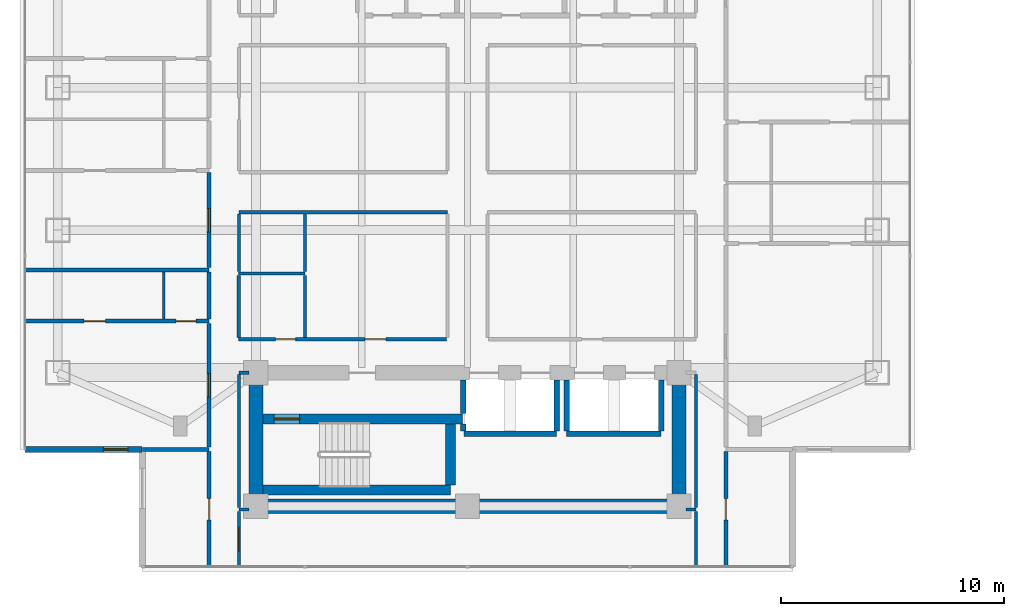
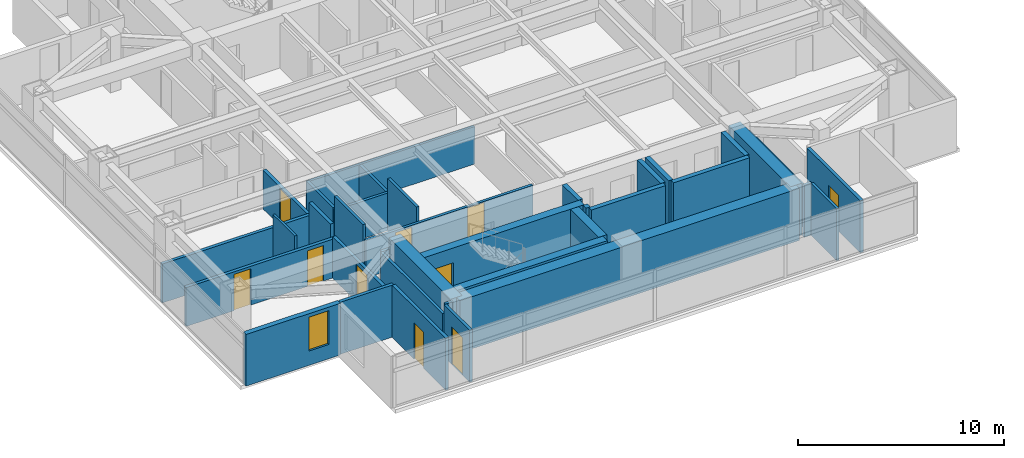
# One storey, part 13 of 24: 37 walls, 10 doors, 1 window, 11 openings.
"""IFC4 building model written with IfcOpenShell, lengths in metres."""

from ifc_helpers import new_model, si_unit, direction, frame, frame_2d, origin, place, context, subcontext, project, spatial, rectangle, extrude, material, layer, layer_set, type_object, element, fill, save


model = new_model("IFC4")

# Units and contexts
model_context = context("Model", 3, precision=1e-05, world=origin(), true_north=direction((0.0, 1.0)))
body_context = subcontext(model_context, "Body", "Model", "MODEL_VIEW")
ifc_project = project(units=[si_unit("LENGTHUNIT", "METRE"), si_unit("AREAUNIT", "SQUARE_METRE"), si_unit("VOLUMEUNIT", "CUBIC_METRE"), si_unit("PLANEANGLEUNIT", "RADIAN"), si_unit("MASSUNIT", "GRAM", prefix="KILO")], contexts=[model_context])

# Site, building, storey
site_placement = place(None, origin())
site = spatial("IfcSite", under=ifc_project, at=site_placement, CompositionType="ELEMENT")
building_placement = place(site_placement, origin())
building = spatial("IfcBuilding", under=site, at=building_placement, Name="Mirazonda Arch Towers", CompositionType="ELEMENT")
storey_placement = place(building_placement, frame((0.0, 0.0, 118.10009765625)))
storey = spatial("IfcBuildingStorey", under=building, at=storey_placement, Name="L33", CompositionType="ELEMENT", Elevation=118.10009765625)

# Wall
ifc_material_1 = material(Name="Concrete C50/60", Category="concrete")
ifc_layer_1 = layer(ifc_material_1, 0.449951171875, Name="WALL-CORE-450")
ifc_layer_set_1 = layer_set([ifc_layer_1], Name="Concrete C50/60")
wall_type_1 = type_object("IfcWallType", Name="WALL-CORE-450", PredefinedType="SHEAR", material=ifc_layer_set_1)
wall_1_placement = place(storey_placement, frame((11.320068359375, 13.1201171875, 0.0), z_axis=(0.0, 0.0, 1.0), x_axis=(1.0, 0.0, 0.0)))
element("IfcWall", 1, at=wall_1_placement, inside=storey, type_object=wall_type_1, Name="L33 Stair Core Shear Wall 003", PredefinedType="SHEAR", context=body_context, shape_type="SweptSolid", body=[
    extrude(rectangle(XDim=8.409912109375, YDim=0.449951171875, at=frame_2d((4.205078125, 0.0))), origin(), (0.0, 0.0, 1.0), 3.079833984375),
])

# Wall, opening, door
wall_2_placement = place(storey_placement, frame((11.320068359375, 16.320068359375, 0.0), z_axis=(0.0, 0.0, 1.0), x_axis=(1.0, 0.0, 0.0)))
wall_2 = element("IfcWall", 2, at=wall_2_placement, inside=storey, type_object=wall_type_1, Name="L33 Stair Core Shear Wall 008", PredefinedType="SHEAR", context=body_context, shape_type="SweptSolid", body=[
    extrude(rectangle(XDim=8.9599609375, YDim=0.449951171875, at=frame_2d((4.47998046875, 0.0))), origin(), (0.0, 0.0, 1.0), 3.079833984375),
])
opening_1_placement = place(wall_2_placement, frame((0.4951171875, 0.0, 0.0)))
opening_1 = element("IfcOpeningElement", 3, at=opening_1_placement, cuts=wall_2, Name="Opening DR-135", PredefinedType="OPENING", context=body_context, shape_type="SweptSolid", body=[
    extrude(rectangle(XDim=1.14990234375, YDim=2.199951171875, at=frame_2d((0.574951171875, 1.10009765625))), frame((0.0, 0.23486328125, 0.0), z_axis=(0.0, -1.0, 0.0), x_axis=(1.0, 0.0, 0.0)), (0.0, 0.0, 1.0), 0.469970703125),
])
ifc_material_2 = material(Name="Architectural Brushed Steel S355", Category="steel")
door_type_1 = type_object("IfcDoorType", Name="DOOR-STAIR-FD90-1150", OperationType="NOTDEFINED", PredefinedType="DOOR", material=ifc_material_2)
door_1_placement = place(opening_1_placement, origin())
door_1 = element("IfcDoor", 4, at=door_1_placement, inside=storey, type_object=door_type_1, Name="L33 Protected Exit Stair South Door", OperationType="SINGLE_SWING_RIGHT", OverallHeight=2.199951171875, OverallWidth=1.14990234375, PredefinedType="DOOR", context=body_context, shape_type="SweptSolid", body=[
    extrude(rectangle(XDim=1.14990234375, YDim=2.199951171875, at=frame_2d((0.574951171875, 1.10009765625))), frame((0.0, 0.02490234375, 0.0), z_axis=(0.0, -1.0, 0.0), x_axis=(1.0, 0.0, 0.0)), (0.0, 0.0, 1.0), 0.050048828125),
])
fill(opening_1, door_1)

# Walls
wall_3_placement = place(storey_placement, frame((19.72998046875, 13.35498046875, 0.0), z_axis=(0.0, 0.0, 1.0), x_axis=(0.0, 1.0, 0.0)))
element("IfcWall", 5, at=wall_3_placement, inside=storey, type_object=wall_type_1, Name="L33 Stair Core Shear Wall 089", PredefinedType="SHEAR", context=body_context, shape_type="SweptSolid", body=[
    extrude(rectangle(XDim=2.72998046875, YDim=0.449951171875, at=frame_2d((1.364990234375, 0.0))), origin(), (0.0, 0.0, 1.0), 3.079833984375),
])
ifc_material_3 = material(Name="Concrete C60/75", Category="concrete")
ifc_layer_2 = layer(ifc_material_3, 0.64990234375, Name="WALL-CORE-650")
ifc_layer_set_2 = layer_set([ifc_layer_2], Name="Concrete C60/75")
wall_type_2 = type_object("IfcWallType", Name="WALL-CORE-650", PredefinedType="SHEAR", material=ifc_layer_set_2)
wall_4_placement = place(storey_placement, frame((11.0, 12.39990234375, 0.0), z_axis=(0.0, 0.0, 1.0), x_axis=(1.0, 0.0, 0.0)))
element("IfcWall", 6, at=wall_4_placement, inside=storey, type_object=wall_type_2, Name="L33 T1S-S Core Shear Wall", PredefinedType="SHEAR", context=body_context, shape_type="SweptSolid", body=[
    extrude(rectangle(XDim=19.0, YDim=0.64990234375, at=frame_2d((9.5, 0.0))), origin(), (0.0, 0.0, 1.0), 3.079833984375),
])
for number, where, z_axis, x_axis, name in (
    (7, (11.0, 12.39990234375, 0.0), (0.0, 0.0, 1.0), (0.0, 1.0, 0.0), "L33 T1S-W Core Shear Wall"),
    (8, (30.0, 12.39990234375, 0.0), (0.0, 0.0, 1.0), (0.0, 1.0, 0.0), "L33 T1S-E Core Shear Wall"),
):
    element("IfcWall", number, at=place(storey_placement, frame(where, z_axis=z_axis, x_axis=x_axis)), inside=storey, type_object=wall_type_2, Name=name, PredefinedType="SHEAR", context=body_context, shape_type="SweptSolid", body=[
        extrude(rectangle(XDim=6.0, YDim=0.64990234375, at=frame_2d((3.0, 0.0))), origin(), (0.0, 0.0, 1.0), 3.079833984375),
    ])

# Wall, opening, window
ifc_material_4 = material(Name="Precast Concrete C40/50", Category="concrete")
ifc_layer_3 = layer(ifc_material_4, 0.280029296875, Name="WALL-EXT-WALL-280")
ifc_layer_set_3 = layer_set([ifc_layer_3], Name="Precast Concrete C40/50")
wall_type_3 = type_object("IfcWallType", Name="WALL-EXT-WALL-280", PredefinedType="SOLIDWALL", material=ifc_layer_set_3)
wall_5_placement = place(storey_placement, frame((0.6201171875, 14.949951171875, 0.0), z_axis=(0.0, 0.0, 1.0), x_axis=(1.0, 0.0, 0.0)))
wall_5 = element("IfcWall", 9, at=wall_5_placement, inside=storey, type_object=wall_type_3, Name="L33 T1 Corner Notch Return Wall WL-L33-T1-CSW2", PredefinedType="SOLIDWALL", context=body_context, shape_type="SweptSolid", body=[
    extrude(rectangle(XDim=5.269775390625, YDim=0.280029296875, at=frame_2d((2.634765625, 0.0))), origin(), (0.0, 0.0, 1.0), 3.059814453125),
])
opening_2_placement = place(wall_5_placement, frame((3.52001953125, 0.0, 0.85009765625)))
opening_2 = element("IfcOpeningElement", 10, at=opening_2_placement, cuts=wall_5, Name="Opening WN-108", PredefinedType="OPENING", context=body_context, shape_type="SweptSolid", body=[
    extrude(rectangle(XDim=1.10009765625, YDim=2.0, at=frame_2d((0.550048828125, 1.0))), frame((0.0, 0.14990234375, 0.0), z_axis=(0.0, -1.0, 0.0), x_axis=(1.0, 0.0, 0.0)), (0.0, 0.0, 1.0), 0.300048828125),
])
ifc_material_5 = material(Name="Insulated Low-E Solar Glass", Category="glass")
window_type = type_object("IfcWindowType", Name="WIN-NOTCH-1100x2000", PartitioningType="SINGLE_PANEL", PredefinedType="WINDOW", material=ifc_material_5)
window_placement = place(opening_2_placement, origin())
window = element("IfcWindow", 11, at=window_placement, inside=storey, type_object=window_type, Name="L33 Punched Facade Window WN-L33-T1-CSW2", OverallHeight=2.0, OverallWidth=1.10009765625, PartitioningType="SINGLE_PANEL", PredefinedType="WINDOW", context=body_context, shape_type="SweptSolid", body=[
    extrude(rectangle(XDim=1.10009765625, YDim=2.0, at=frame_2d((0.550048828125, 1.0))), frame((0.0, 0.030029296875, 0.0), z_axis=(0.0, -1.0, 0.0), x_axis=(1.0, 0.0, 0.0)), (0.0, 0.0, 1.0), 0.06005859375),
])
fill(opening_2, window)

# Walls
ifc_material_6 = material(Name="Fire-Rated Gypsum Stud Partition")
ifc_layer_4 = layer(ifc_material_6, 0.14990234375, Name="WALL-PART-CORR-150")
ifc_layer_set_4 = layer_set([ifc_layer_4], Name="Fire-Rated Gypsum Stud Partition")
wall_type_4 = type_object("IfcWallType", Name="WALL-PART-CORR-150", PredefinedType="PARTITIONING", material=ifc_layer_set_4)
for number, where, z_axis, x_axis, name in (
    (12, (10.239990234375, 12.25, 0.0), (0.0, 0.0, 1.0), (1.0, 0.0, 0.0), "L33 Interior Partition 001"),
    (13, (30.320068359375, 12.25, 0.0), (0.0, 0.0, 1.0), (1.0, 0.0, 0.0), "L33 Interior Partition 002"),
):
    element("IfcWall", number, at=place(storey_placement, frame(where, z_axis=z_axis, x_axis=x_axis)), inside=storey, type_object=wall_type_4, Name=name, PredefinedType="PARTITIONING", context=body_context, shape_type="SweptSolid", body=[
        extrude(rectangle(XDim=0.43994140625, YDim=0.14990234375, at=frame_2d((0.219970703125, 0.0))), origin(), (0.0, 0.0, 1.0), 3.079833984375),
    ])
wall_6_placement = place(storey_placement, frame((10.239990234375, 18.39990234375, 0.0), z_axis=(0.0, 0.0, 1.0), x_axis=(1.0, 0.0, 0.0)))
element("IfcWall", 14, at=wall_6_placement, inside=storey, type_object=wall_type_4, Name="L33 Interior Partition 012", PredefinedType="PARTITIONING", context=body_context, shape_type="SweptSolid", body=[
    extrude(rectangle(XDim=0.43994140625, YDim=0.14990234375, at=frame_2d((0.219970703125, 0.0))), origin(), (0.0, 0.0, 1.0), 2.455810546875),
])

# Wall, openings, doors
wall_7_placement = place(storey_placement, frame((10.219970703125, 19.89990234375, 0.0), z_axis=(0.0, 0.0, 1.0), x_axis=(1.0, 0.0, 0.0)))
wall_7 = element("IfcWall", 15, at=wall_7_placement, inside=storey, type_object=wall_type_4, Name="L33 Interior Partition 015", PredefinedType="PARTITIONING", context=body_context, shape_type="SweptSolid", body=[
    extrude(rectangle(XDim=9.340087890625, YDim=0.14990234375, at=frame_2d((4.669921875, 0.0))), origin(), (0.0, 0.0, 1.0), 2.2158203125),
])
opening_3_placement = place(wall_7_placement, frame((1.659912109375, 0.0, 0.0)))
opening_3 = element("IfcOpeningElement", 16, at=opening_3_placement, cuts=wall_7, Name="Opening DR-120", PredefinedType="OPENING", context=body_context, shape_type="SweptSolid", body=[
    extrude(rectangle(XDim=0.89990234375, YDim=2.10009765625, at=frame_2d((0.449951171875, 1.050048828125))), frame((0.0, 0.0849609375, 0.0), z_axis=(0.0, -1.0, 0.0), x_axis=(1.0, 0.0, 0.0)), (0.0, 0.0, 1.0), 0.169921875),
])
opening_4_placement = place(wall_7_placement, frame((5.6650390625, 0.0, 0.0)))
opening_4 = element("IfcOpeningElement", 17, at=opening_4_placement, cuts=wall_7, Name="Opening DR-104", PredefinedType="OPENING", context=body_context, shape_type="SweptSolid", body=[
    extrude(rectangle(XDim=0.949951171875, YDim=2.14990234375, at=frame_2d((0.47509765625, 1.074951171875))), frame((0.0, 0.0849609375, 0.0), z_axis=(0.0, -1.0, 0.0), x_axis=(1.0, 0.0, 0.0)), (0.0, 0.0, 1.0), 0.169921875),
])
door_type_2 = type_object("IfcDoorType", Name="DOOR-ROOM-950", OperationType="NOTDEFINED", PredefinedType="DOOR", material=ifc_material_2)
door_2_placement = place(opening_4_placement, origin())
door_2 = element("IfcDoor", 18, at=door_2_placement, inside=storey, type_object=door_type_2, Name="L33 L33 West Courtyard Study Door", OperationType="SINGLE_SWING_LEFT", OverallHeight=2.14990234375, OverallWidth=0.949951171875, PredefinedType="DOOR", context=body_context, shape_type="SweptSolid", body=[
    extrude(rectangle(XDim=0.949951171875, YDim=2.14990234375, at=frame_2d((0.47509765625, 1.074951171875))), frame((0.0, 0.02490234375, 0.0), z_axis=(0.0, -1.0, 0.0), x_axis=(1.0, 0.0, 0.0)), (0.0, 0.0, 1.0), 0.050048828125),
])
fill(opening_4, door_2)
door_type_3 = type_object("IfcDoorType", Name="DOOR-WC-900", OperationType="NOTDEFINED", PredefinedType="DOOR", material=ifc_material_2)
door_3_placement = place(opening_3_placement, origin())
door_3 = element("IfcDoor", 19, at=door_3_placement, inside=storey, type_object=door_type_3, Name="L33 Common Accessible WC Door", OperationType="SINGLE_SWING_LEFT", OverallHeight=2.10009765625, OverallWidth=0.89990234375, PredefinedType="DOOR", context=body_context, shape_type="SweptSolid", body=[
    extrude(rectangle(XDim=0.89990234375, YDim=2.10009765625, at=frame_2d((0.449951171875, 1.050048828125))), frame((0.0, 0.02490234375, 0.0), z_axis=(0.0, -1.0, 0.0), x_axis=(1.0, 0.0, 0.0)), (0.0, 0.0, 1.0), 0.050048828125),
])
fill(opening_3, door_3)

# Walls
wall_8_placement = place(storey_placement, frame((10.219970703125, 22.85009765625, 0.0), z_axis=(0.0, 0.0, 1.0), x_axis=(1.0, 0.0, 0.0)))
element("IfcWall", 20, at=wall_8_placement, inside=storey, type_object=wall_type_4, Name="L33 Interior Partition 023", PredefinedType="PARTITIONING", context=body_context, shape_type="SweptSolid", body=[
    extrude(rectangle(XDim=2.97998046875, YDim=0.14990234375, at=frame_2d((1.489990234375, 0.0))), origin(), (0.0, 0.0, 1.0), 2.2158203125),
])
wall_9_placement = place(storey_placement, frame((10.239990234375, 25.60009765625, 0.0), z_axis=(0.0, 0.0, 1.0), x_axis=(1.0, 0.0, 0.0)))
element("IfcWall", 21, at=wall_9_placement, inside=storey, type_object=wall_type_4, Name="L33 Interior Partition 029", PredefinedType="PARTITIONING", context=body_context, shape_type="SweptSolid", body=[
    extrude(rectangle(XDim=9.360107421875, YDim=0.14990234375, at=frame_2d((4.68017578125, 0.0))), origin(), (0.0, 0.0, 1.0), 2.2158203125),
])
wall_10_placement = place(storey_placement, frame((10.219970703125, 19.985107421875, 0.0), z_axis=(0.0, 0.0, 1.0), x_axis=(0.0, 1.0, 0.0)))
element("IfcWall", 22, at=wall_10_placement, inside=storey, type_object=wall_type_4, Name="L33 Interior Partition 074", PredefinedType="PARTITIONING", context=body_context, shape_type="SweptSolid", body=[
    extrude(rectangle(XDim=2.77978515625, YDim=0.14990234375, at=frame_2d((1.389892578125, 0.0))), origin(), (0.0, 0.0, 1.0), 3.079833984375),
])

# Wall, opening, door
wall_11_placement = place(storey_placement, frame((10.239990234375, 9.679931640625, 0.0), z_axis=(0.0, 0.0, 1.0), x_axis=(0.0, 1.0, 0.0)))
wall_11 = element("IfcWall", 23, at=wall_11_placement, inside=storey, type_object=wall_type_4, Name="L33 Interior Partition 075", PredefinedType="PARTITIONING", context=body_context, shape_type="SweptSolid", body=[
    extrude(rectangle(XDim=2.485107421875, YDim=0.14990234375, at=frame_2d((1.24267578125, 0.0))), origin(), (0.0, 0.0, 1.0), 3.079833984375),
])
opening_5_placement = place(wall_11_placement, frame((0.717529296875, 0.0, 0.0)))
opening_5 = element("IfcOpeningElement", 24, at=opening_5_placement, cuts=wall_11, Name="Opening DR-121", PredefinedType="OPENING", context=body_context, shape_type="SweptSolid", body=[
    extrude(rectangle(XDim=1.050048828125, YDim=2.199951171875, at=frame_2d((0.52490234375, 1.10009765625))), frame((0.0, 0.0849609375, 0.0), z_axis=(0.0, -1.0, 0.0), x_axis=(1.0, 0.0, 0.0)), (0.0, 0.0, 1.0), 0.169921875),
])
door_type_4 = type_object("IfcDoorType", Name="DOOR-SUITE-FD60-1050", OperationType="NOTDEFINED", PredefinedType="DOOR", material=ifc_material_2)
door_4_placement = place(opening_5_placement, origin())
door_4 = element("IfcDoor", 25, at=door_4_placement, inside=storey, type_object=door_type_4, Name="L33 South Horizon Lounge Gallery Door", OperationType="SINGLE_SWING_LEFT", OverallHeight=2.199951171875, OverallWidth=1.050048828125, PredefinedType="DOOR", context=body_context, shape_type="SweptSolid", body=[
    extrude(rectangle(XDim=1.050048828125, YDim=2.199951171875, at=frame_2d((0.52490234375, 1.10009765625))), frame((0.0, 0.02490234375, 0.0), z_axis=(0.0, -1.0, 0.0), x_axis=(1.0, 0.0, 0.0)), (0.0, 0.0, 1.0), 0.050048828125),
])
fill(opening_5, door_4)

# Walls
wall_12_placement = place(storey_placement, frame((10.239990234375, 12.3349609375, 0.0), z_axis=(0.0, 0.0, 1.0), x_axis=(0.0, 1.0, 0.0)))
element("IfcWall", 26, at=wall_12_placement, inside=storey, type_object=wall_type_4, Name="L33 Interior Partition 076", PredefinedType="PARTITIONING", context=body_context, shape_type="SweptSolid", body=[
    extrude(rectangle(XDim=5.97998046875, YDim=0.14990234375, at=frame_2d((2.989990234375, 0.0))), origin(), (0.0, 0.0, 1.0), 2.455810546875),
])
wall_13_placement = place(storey_placement, frame((10.239990234375, 22.93505859375, 0.0), z_axis=(0.0, 0.0, 1.0), x_axis=(0.0, 1.0, 0.0)))
element("IfcWall", 27, at=wall_13_placement, inside=storey, type_object=wall_type_4, Name="L33 Interior Partition 077", PredefinedType="PARTITIONING", context=body_context, shape_type="SweptSolid", body=[
    extrude(rectangle(XDim=2.579833984375, YDim=0.14990234375, at=frame_2d((1.2900390625, 0.0))), origin(), (0.0, 0.0, 1.0), 2.298828125),
])
wall_14_placement = place(storey_placement, frame((13.199951171875, 19.985107421875, 0.0), z_axis=(0.0, 0.0, 1.0), x_axis=(0.0, 1.0, 0.0)))
element("IfcWall", 28, at=wall_14_placement, inside=storey, type_object=wall_type_4, Name="L33 Interior Partition 082", PredefinedType="PARTITIONING", context=body_context, shape_type="SweptSolid", body=[
    extrude(rectangle(XDim=2.77978515625, YDim=0.14990234375, at=frame_2d((1.389892578125, 0.0))), origin(), (0.0, 0.0, 1.0), 3.079833984375),
])
wall_15_placement = place(storey_placement, frame((13.199951171875, 22.93505859375, 0.0), z_axis=(0.0, 0.0, 1.0), x_axis=(0.0, 1.0, 0.0)))
element("IfcWall", 29, at=wall_15_placement, inside=storey, type_object=wall_type_4, Name="L33 Interior Partition 083", PredefinedType="PARTITIONING", context=body_context, shape_type="SweptSolid", body=[
    extrude(rectangle(XDim=2.579833984375, YDim=0.14990234375, at=frame_2d((1.2900390625, 0.0))), origin(), (0.0, 0.0, 1.0), 2.2158203125),
])
wall_16_placement = place(storey_placement, frame((30.760009765625, 9.679931640625, 0.0), z_axis=(0.0, 0.0, 1.0), x_axis=(0.0, 1.0, 0.0)))
element("IfcWall", 30, at=wall_16_placement, inside=storey, type_object=wall_type_4, Name="L33 Interior Partition 106", PredefinedType="PARTITIONING", context=body_context, shape_type="SweptSolid", body=[
    extrude(rectangle(XDim=2.485107421875, YDim=0.14990234375, at=frame_2d((1.24267578125, 0.0))), origin(), (0.0, 0.0, 1.0), 3.079833984375),
])
wall_17_placement = place(storey_placement, frame((30.760009765625, 12.3349609375, 0.0), z_axis=(0.0, 0.0, 1.0), x_axis=(0.0, 1.0, 0.0)))
element("IfcWall", 31, at=wall_17_placement, inside=storey, type_object=wall_type_4, Name="L33 Interior Partition 107", PredefinedType="PARTITIONING", context=body_context, shape_type="SweptSolid", body=[
    extrude(rectangle(XDim=5.97998046875, YDim=0.14990234375, at=frame_2d((2.989990234375, 0.0))), origin(), (0.0, 0.0, 1.0), 2.455810546875),
])
ifc_material_7 = material(Name="Fire-Rated Gypsum Twin-Stud Assembly")
ifc_layer_5 = layer(ifc_material_7, 0.179931640625, Name="WALL-PART-DEMISE-180")
ifc_layer_set_5 = layer_set([ifc_layer_5], Name="Fire-Rated Gypsum Twin-Stud Assembly")
wall_type_5 = type_object("IfcWallType", Name="WALL-PART-DEMISE-180", PredefinedType="PARTITIONING", material=ifc_layer_set_5)
wall_18_placement = place(storey_placement, frame((5.909912109375, 14.949951171875, 0.0), z_axis=(0.0, 0.0, 1.0), x_axis=(1.0, 0.0, 0.0)))
element("IfcWall", 32, at=wall_18_placement, inside=storey, type_object=wall_type_5, Name="L33 Interior Partition 004", PredefinedType="PARTITIONING", context=body_context, shape_type="SweptSolid", body=[
    extrude(rectangle(XDim=2.989990234375, YDim=0.179931640625, at=frame_2d((1.4951171875, 0.0))), origin(), (0.0, 0.0, 1.0), 3.079833984375),
])

# Wall, openings, doors
wall_19_placement = place(storey_placement, frame((0.6201171875, 20.716064453125, 0.0), z_axis=(0.0, 0.0, 1.0), x_axis=(1.0, 0.0, 0.0)))
wall_19 = element("IfcWall", 33, at=wall_19_placement, inside=storey, type_object=wall_type_5, Name="L33 Interior Partition 019", PredefinedType="PARTITIONING", context=body_context, shape_type="SweptSolid", body=[
    extrude(rectangle(XDim=8.27978515625, YDim=0.179931640625, at=frame_2d((4.139892578125, 0.0))), origin(), (0.0, 0.0, 1.0), 2.298828125),
])
opening_6_placement = place(wall_19_placement, frame((2.6650390625, 0.0, 0.0)))
opening_6 = element("IfcOpeningElement", 34, at=opening_6_placement, cuts=wall_19, Name="Opening DR-104", PredefinedType="OPENING", context=body_context, shape_type="SweptSolid", body=[
    extrude(rectangle(XDim=0.949951171875, YDim=2.14990234375, at=frame_2d((0.47509765625, 1.074951171875))), frame((0.0, 0.099853515625, 0.0), z_axis=(0.0, -1.0, 0.0), x_axis=(1.0, 0.0, 0.0)), (0.0, 0.0, 1.0), 0.199951171875),
])
opening_7_placement = place(wall_19_placement, frame((6.7900390625, 0.0, 0.0)))
opening_7 = element("IfcOpeningElement", 35, at=opening_7_placement, cuts=wall_19, Name="Opening DR-120", PredefinedType="OPENING", context=body_context, shape_type="SweptSolid", body=[
    extrude(rectangle(XDim=0.89990234375, YDim=2.10009765625, at=frame_2d((0.449951171875, 1.050048828125))), frame((0.0, 0.099853515625, 0.0), z_axis=(0.0, -1.0, 0.0), x_axis=(1.0, 0.0, 0.0)), (0.0, 0.0, 1.0), 0.199951171875),
])
door_5_placement = place(opening_6_placement, origin())
door_5 = element("IfcDoor", 36, at=door_5_placement, inside=storey, type_object=door_type_2, Name="L33 Suite Bedroom 1 Door", OperationType="SINGLE_SWING_LEFT", OverallHeight=2.14990234375, OverallWidth=0.949951171875, PredefinedType="DOOR", context=body_context, shape_type="SweptSolid", body=[
    extrude(rectangle(XDim=0.949951171875, YDim=2.14990234375, at=frame_2d((0.47509765625, 1.074951171875))), frame((0.0, 0.02490234375, 0.0), z_axis=(0.0, -1.0, 0.0), x_axis=(1.0, 0.0, 0.0)), (0.0, 0.0, 1.0), 0.050048828125),
])
fill(opening_6, door_5)
door_6_placement = place(opening_7_placement, origin())
door_6 = element("IfcDoor", 37, at=door_6_placement, inside=storey, type_object=door_type_3, Name="L33 Suite En-Suite Bathroom 1 Door", OperationType="SINGLE_SWING_RIGHT", OverallHeight=2.10009765625, OverallWidth=0.89990234375, PredefinedType="DOOR", context=body_context, shape_type="SweptSolid", body=[
    extrude(rectangle(XDim=0.89990234375, YDim=2.10009765625, at=frame_2d((0.449951171875, 1.050048828125))), frame((0.0, 0.02490234375, 0.0), z_axis=(0.0, -1.0, 0.0), x_axis=(1.0, 0.0, 0.0)), (0.0, 0.0, 1.0), 0.050048828125),
])
fill(opening_7, door_6)

# Wall
wall_20_placement = place(storey_placement, frame((0.6201171875, 23.01611328125, 0.0), z_axis=(0.0, 0.0, 1.0), x_axis=(1.0, 0.0, 0.0)))
element("IfcWall", 38, at=wall_20_placement, inside=storey, type_object=wall_type_5, Name="L33 Interior Partition 024", PredefinedType="PARTITIONING", context=body_context, shape_type="SweptSolid", body=[
    extrude(rectangle(XDim=8.27978515625, YDim=0.179931640625, at=frame_2d((4.139892578125, 0.0))), origin(), (0.0, 0.0, 1.0), 2.298828125),
])

# Wall, opening, door
wall_21_placement = place(storey_placement, frame((8.89990234375, 9.679931640625, 0.0), z_axis=(0.0, 0.0, 1.0), x_axis=(0.0, 1.0, 0.0)))
wall_21 = element("IfcWall", 39, at=wall_21_placement, inside=storey, type_object=wall_type_5, Name="L33 Interior Partition 066", PredefinedType="PARTITIONING", context=body_context, shape_type="SweptSolid", body=[
    extrude(rectangle(XDim=5.170166015625, YDim=0.179931640625, at=frame_2d((2.5849609375, 0.0))), origin(), (0.0, 0.0, 1.0), 3.079833984375),
])
opening_8_placement = place(wall_21_placement, frame((2.110107421875, 0.0, 0.0)))
opening_8 = element("IfcOpeningElement", 40, at=opening_8_placement, cuts=wall_21, Name="Opening DR-104", PredefinedType="OPENING", context=body_context, shape_type="SweptSolid", body=[
    extrude(rectangle(XDim=0.949951171875, YDim=2.14990234375, at=frame_2d((0.47509765625, 1.074951171875))), frame((0.0, 0.099853515625, 0.0), z_axis=(0.0, -1.0, 0.0), x_axis=(1.0, 0.0, 0.0)), (0.0, 0.0, 1.0), 0.199951171875),
])
door_7_placement = place(opening_8_placement, origin())
door_7 = element("IfcDoor", 41, at=door_7_placement, inside=storey, type_object=door_type_2, Name="L33 South Horizon Lounge Alcove West Door", OperationType="SINGLE_SWING_RIGHT", OverallHeight=2.14990234375, OverallWidth=0.949951171875, PredefinedType="DOOR", context=body_context, shape_type="SweptSolid", body=[
    extrude(rectangle(XDim=0.949951171875, YDim=2.14990234375, at=frame_2d((0.47509765625, 1.074951171875))), frame((0.0, 0.02490234375, 0.0), z_axis=(0.0, -1.0, 0.0), x_axis=(1.0, 0.0, 0.0)), (0.0, 0.0, 1.0), 0.050048828125),
])
fill(opening_8, door_7)

wall_22_placement = place(storey_placement, frame((8.89990234375, 15.050048828125, 0.0), z_axis=(0.0, 0.0, 1.0), x_axis=(0.0, 1.0, 0.0)))
wall_22 = element("IfcWall", 42, at=wall_22_placement, inside=storey, type_object=wall_type_5, Name="L33 Interior Partition 067", PredefinedType="PARTITIONING", context=body_context, shape_type="SweptSolid", body=[
    extrude(rectangle(XDim=5.56591796875, YDim=0.179931640625, at=frame_2d((2.782958984375, 0.0))), origin(), (0.0, 0.0, 1.0), 2.455810546875),
])
opening_9_placement = place(wall_22_placement, frame((2.258056640625, 0.0, 0.0)))
opening_9 = element("IfcOpeningElement", 43, at=opening_9_placement, cuts=wall_22, Name="Opening DR-121", PredefinedType="OPENING", context=body_context, shape_type="SweptSolid", body=[
    extrude(rectangle(XDim=1.050048828125, YDim=2.199951171875, at=frame_2d((0.52490234375, 1.10009765625))), frame((0.0, 0.099853515625, 0.0), z_axis=(0.0, -1.0, 0.0), x_axis=(1.0, 0.0, 0.0)), (0.0, 0.0, 1.0), 0.199951171875),
])
door_8_placement = place(opening_9_placement, origin())
door_8 = element("IfcDoor", 44, at=door_8_placement, inside=storey, type_object=door_type_4, Name="L33 Panoramic Suite Salon 1 Door", OperationType="SINGLE_SWING_RIGHT", OverallHeight=2.199951171875, OverallWidth=1.050048828125, PredefinedType="DOOR", context=body_context, shape_type="SweptSolid", body=[
    extrude(rectangle(XDim=1.050048828125, YDim=2.199951171875, at=frame_2d((0.52490234375, 1.10009765625))), frame((0.0, 0.02490234375, 0.0), z_axis=(0.0, -1.0, 0.0), x_axis=(1.0, 0.0, 0.0)), (0.0, 0.0, 1.0), 0.050048828125),
])
fill(opening_9, door_8)

# Wall
wall_23_placement = place(storey_placement, frame((8.89990234375, 20.81591796875, 0.0), z_axis=(0.0, 0.0, 1.0), x_axis=(0.0, 1.0, 0.0)))
element("IfcWall", 45, at=wall_23_placement, inside=storey, type_object=wall_type_5, Name="L33 Interior Partition 068", PredefinedType="PARTITIONING", context=body_context, shape_type="SweptSolid", body=[
    extrude(rectangle(XDim=2.10009765625, YDim=0.179931640625, at=frame_2d((1.050048828125, 0.0))), origin(), (0.0, 0.0, 1.0), 3.079833984375),
])

# Wall, opening, door
wall_24_placement = place(storey_placement, frame((8.89990234375, 23.115966796875, 0.0), z_axis=(0.0, 0.0, 1.0), x_axis=(0.0, 1.0, 0.0)))
wall_24 = element("IfcWall", 46, at=wall_24_placement, inside=storey, type_object=wall_type_5, Name="L33 Interior Partition 069", PredefinedType="PARTITIONING", context=body_context, shape_type="SweptSolid", body=[
    extrude(rectangle(XDim=4.263916015625, YDim=0.179931640625, at=frame_2d((2.1318359375, 0.0))), origin(), (0.0, 0.0, 1.0), 2.298828125),
])
opening_10_placement = place(wall_24_placement, frame((1.60693359375, 0.0, 0.0)))
opening_10 = element("IfcOpeningElement", 47, at=opening_10_placement, cuts=wall_24, Name="Opening DR-121", PredefinedType="OPENING", context=body_context, shape_type="SweptSolid", body=[
    extrude(rectangle(XDim=1.050048828125, YDim=2.199951171875, at=frame_2d((0.52490234375, 1.10009765625))), frame((0.0, 0.099853515625, 0.0), z_axis=(0.0, -1.0, 0.0), x_axis=(1.0, 0.0, 0.0)), (0.0, 0.0, 1.0), 0.199951171875),
])
door_9_placement = place(opening_10_placement, origin())
door_9 = element("IfcDoor", 48, at=door_9_placement, inside=storey, type_object=door_type_4, Name="L33 Deluxe Suite Living Room 2 Door", OperationType="SINGLE_SWING_LEFT", OverallHeight=2.199951171875, OverallWidth=1.050048828125, PredefinedType="DOOR", context=body_context, shape_type="SweptSolid", body=[
    extrude(rectangle(XDim=1.050048828125, YDim=2.199951171875, at=frame_2d((0.52490234375, 1.10009765625))), frame((0.0, 0.02490234375, 0.0), z_axis=(0.0, -1.0, 0.0), x_axis=(1.0, 0.0, 0.0)), (0.0, 0.0, 1.0), 0.050048828125),
])
fill(opening_10, door_9)

wall_25_placement = place(storey_placement, frame((32.10009765625, 9.679931640625, 0.0), z_axis=(0.0, 0.0, 1.0), x_axis=(0.0, 1.0, 0.0)))
wall_25 = element("IfcWall", 49, at=wall_25_placement, inside=storey, type_object=wall_type_5, Name="L33 Interior Partition 112", PredefinedType="PARTITIONING", context=body_context, shape_type="SweptSolid", body=[
    extrude(rectangle(XDim=5.170166015625, YDim=0.179931640625, at=frame_2d((2.5849609375, 0.0))), origin(), (0.0, 0.0, 1.0), 3.079833984375),
])
opening_11_placement = place(wall_25_placement, frame((2.110107421875, 0.0, 0.0)))
opening_11 = element("IfcOpeningElement", 50, at=opening_11_placement, cuts=wall_25, Name="Opening DR-104", PredefinedType="OPENING", context=body_context, shape_type="SweptSolid", body=[
    extrude(rectangle(XDim=0.949951171875, YDim=2.14990234375, at=frame_2d((0.47509765625, 1.074951171875))), frame((0.0, 0.099853515625, 0.0), z_axis=(0.0, -1.0, 0.0), x_axis=(1.0, 0.0, 0.0)), (0.0, 0.0, 1.0), 0.199951171875),
])
door_10_placement = place(opening_11_placement, origin())
door_10 = element("IfcDoor", 51, at=door_10_placement, inside=storey, type_object=door_type_2, Name="L33 South Horizon Lounge Alcove East Door", OperationType="SINGLE_SWING_LEFT", OverallHeight=2.14990234375, OverallWidth=0.949951171875, PredefinedType="DOOR", context=body_context, shape_type="SweptSolid", body=[
    extrude(rectangle(XDim=0.949951171875, YDim=2.14990234375, at=frame_2d((0.47509765625, 1.074951171875))), frame((0.0, 0.02490234375, 0.0), z_axis=(0.0, -1.0, 0.0), x_axis=(1.0, 0.0, 0.0)), (0.0, 0.0, 1.0), 0.050048828125),
])
fill(opening_11, door_10)

# Walls
ifc_material_8 = material(Name="Acoustic Fire-Rated Gypsum Partition")
ifc_layer_6 = layer(ifc_material_8, 0.125, Name="WALL-PART-UNIT-125")
ifc_layer_set_6 = layer_set([ifc_layer_6], Name="Acoustic Fire-Rated Gypsum Partition")
wall_type_6 = type_object("IfcWallType", Name="WALL-PART-UNIT-125", PredefinedType="PARTITIONING", material=ifc_layer_set_6)
wall_26_placement = place(storey_placement, frame((6.860107421875, 20.81591796875, 0.0), z_axis=(0.0, 0.0, 1.0), x_axis=(0.0, 1.0, 0.0)))
element("IfcWall", 52, at=wall_26_placement, inside=storey, type_object=wall_type_6, Name="L33 Interior Partition 063", PredefinedType="PARTITIONING", context=body_context, shape_type="SweptSolid", body=[
    extrude(rectangle(XDim=2.10009765625, YDim=0.125, at=frame_2d((1.050048828125, 0.0))), origin(), (0.0, 0.0, 1.0), 3.079833984375),
])
ifc_material_9 = material(Name="Concrete C40/50", Category="concrete")
ifc_layer_7 = layer(ifc_material_9, 0.25, Name="WALL-SHAFT-250")
ifc_layer_set_7 = layer_set([ifc_layer_7], Name="Concrete C40/50")
wall_type_7 = type_object("IfcWallType", Name="WALL-SHAFT-250", PredefinedType="SOLIDWALL", material=ifc_layer_set_7)
wall_27_placement = place(storey_placement, frame((20.35009765625, 15.64990234375, 0.0), z_axis=(0.0, 0.0, 1.0), x_axis=(1.0, 0.0, 0.0)))
element("IfcWall", 53, at=wall_27_placement, inside=storey, type_object=wall_type_7, Name="L33 Interior Partition 006", PredefinedType="SOLIDWALL", context=body_context, shape_type="SweptSolid", body=[
    extrude(rectangle(XDim=4.14990234375, YDim=0.25, at=frame_2d((2.074951171875, 0.0))), origin(), (0.0, 0.0, 1.0), 3.079833984375),
])
wall_28_placement = place(storey_placement, frame((24.949951171875, 15.64990234375, 0.0), z_axis=(0.0, 0.0, 1.0), x_axis=(1.0, 0.0, 0.0)))
element("IfcWall", 54, at=wall_28_placement, inside=storey, type_object=wall_type_7, Name="L33 Interior Partition 007", PredefinedType="SOLIDWALL", context=body_context, shape_type="SweptSolid", body=[
    extrude(rectangle(XDim=4.25, YDim=0.25, at=frame_2d((2.125, 0.0))), origin(), (0.0, 0.0, 1.0), 3.079833984375),
])
wall_29_placement = place(storey_placement, frame((20.31494140625, 15.784912109375, 0.0), z_axis=(0.0, 0.0, 1.0), x_axis=(0.0, 1.0, 0.0)))
element("IfcWall", 55, at=wall_29_placement, inside=storey, type_object=wall_type_7, Name="L33 Interior Partition 091", PredefinedType="SOLIDWALL", context=body_context, shape_type="SweptSolid", body=[
    extrude(rectangle(XDim=0.300048828125, YDim=0.25, at=frame_2d((0.14990234375, 0.0))), origin(), (0.0, 0.0, 1.0), 3.079833984375),
])
wall_30_placement = place(storey_placement, frame((20.31494140625, 16.554931640625, 0.0), z_axis=(0.0, 0.0, 1.0), x_axis=(0.0, 1.0, 0.0)))
element("IfcWall", 56, at=wall_30_placement, inside=storey, type_object=wall_type_7, Name="L33 Interior Partition 092", PredefinedType="SOLIDWALL", context=body_context, shape_type="SweptSolid", body=[
    extrude(rectangle(XDim=1.525146484375, YDim=0.25, at=frame_2d((0.7626953125, 0.0))), origin(), (0.0, 0.0, 1.0), 3.079833984375),
])
for number, where, z_axis, x_axis, name in (
    (57, (24.5, 15.784912109375, 0.0), (0.0, 0.0, 1.0), (0.0, 1.0, 0.0), "L33 Interior Partition 096"),
    (58, (24.949951171875, 15.784912109375, 0.0), (0.0, 0.0, 1.0), (0.0, 1.0, 0.0), "L33 Interior Partition 098"),
    (59, (29.199951171875, 15.784912109375, 0.0), (0.0, 0.0, 1.0), (0.0, 1.0, 0.0), "L33 Interior Partition 103"),
):
    element("IfcWall", number, at=place(storey_placement, frame(where, z_axis=z_axis, x_axis=x_axis)), inside=storey, type_object=wall_type_7, Name=name, PredefinedType="SOLIDWALL", context=body_context, shape_type="SweptSolid", body=[
        extrude(rectangle(XDim=2.295166015625, YDim=0.25, at=frame_2d((1.1474609375, 0.0))), origin(), (0.0, 0.0, 1.0), 3.079833984375),
    ])

save(model, "model.ifc")
